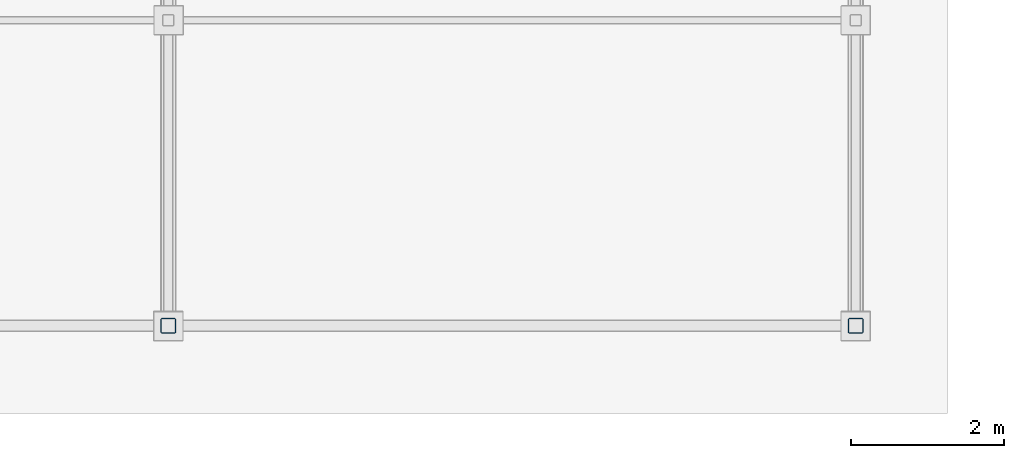
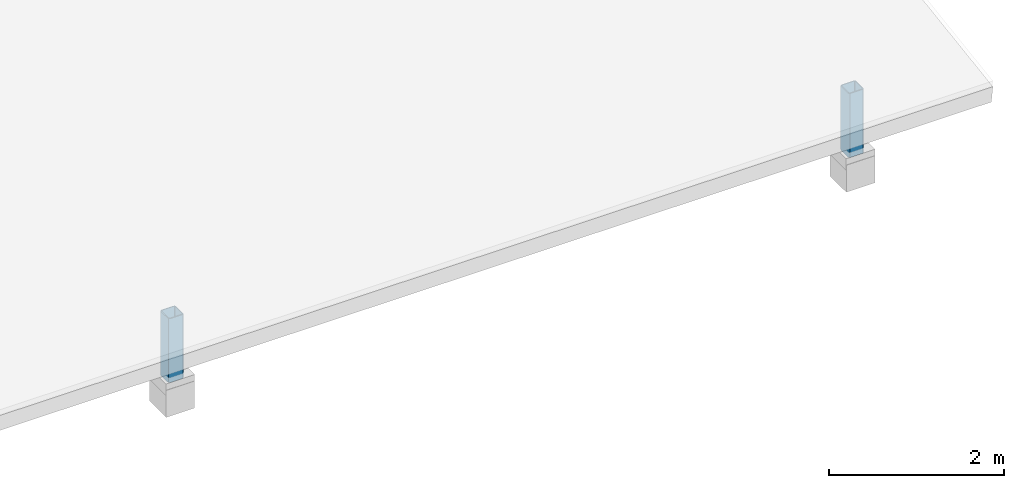
# One storey, part 72 of 118: 2 members.
"""IFC4 building model written with IfcOpenShell, lengths in metres."""

import ifcopenshell
import ifcopenshell.guid

model = None  # the IFC model being written
_history = None  # IfcOwnerHistory: only IFC2X3 demands one
_inside = {}  # id of a spatial element -> (the spatial element, [elements in it])
_under = {}  # id of a project, library or spatial element -> (it, [spatial elements below it])
_declared = {}  # id of a project -> (the project, [libraries it declares])
_typed = {}  # id of a type object -> (the type object, [elements of that type])
_made_of = {}  # id of a material, layer set ... -> (it, [elements and type objects made of it])


def new_model(schema):
    """Start an empty IFC model of exactly this schema.

    Asked for "IFC4X3", IfcOpenShell would pick the latest addendum, in which some entities
    have other attributes; the version numbers below select the first issue.
    IFC2X3 requires an IfcOwnerHistory on every rooted entity: one is made here for all.
    """
    global model, _history
    if schema == "IFC4X3":
        model = ifcopenshell.file(schema_version=(4, 3, 0, 0))
    else:
        model = ifcopenshell.file(schema=schema)
    _inside.clear()
    _under.clear()
    _declared.clear()
    _typed.clear()
    _made_of.clear()
    _history = None
    if model.schema == "IFC2X3":
        org = make("IfcOrganization", Name="unknown")
        user = make(
            "IfcPersonAndOrganization",
            ThePerson=make("IfcPerson", FamilyName="unknown"),
            TheOrganization=org,
        )
        app = make(
            "IfcApplication",
            ApplicationDeveloper=org,
            Version="unknown",
            ApplicationFullName="unknown",
            ApplicationIdentifier="unknown",
        )
        _history = make(
            "IfcOwnerHistory",
            OwningUser=user,
            OwningApplication=app,
            ChangeAction="ADDED",
            CreationDate=0,
        )
    return model


def make(cls, **values):
    """One entity of the class cls with the attributes given. An attribute that is None is left unset."""
    return model.create_entity(
        cls, **{name: value for name, value in values.items() if value is not None}
    )


def rooted(cls, **values):
    """An entity with a GlobalId (a new one), such as an element, a storey or a relation."""
    return make(cls, GlobalId=ifcopenshell.guid.new(), OwnerHistory=_history, **values)


def si_unit(unit_type, name, prefix=None):
    """IfcSIUnit, for example si_unit("LENGTHUNIT", "METRE", prefix="MILLI")."""
    return make("IfcSIUnit", UnitType=unit_type, Prefix=prefix, Name=name)


def assignment(units):
    """IfcUnitAssignment: the units of a project."""
    return None if units is None else make("IfcUnitAssignment", Units=units)


def point(xyz):
    """IfcCartesianPoint."""
    return None if xyz is None else make("IfcCartesianPoint", Coordinates=xyz)


def direction(xyz):
    """IfcDirection."""
    return None if xyz is None else make("IfcDirection", DirectionRatios=xyz)


def frame(location, z_axis=None, x_axis=None):
    """IfcAxis2Placement3D, a coordinate frame: its origin and axes. An axis left out is left unset."""
    return make(
        "IfcAxis2Placement3D",
        Location=point(location),
        Axis=direction(z_axis),
        RefDirection=direction(x_axis),
    )


def frame_2d(location, x_axis=None):
    """IfcAxis2Placement2D, a coordinate frame in the plane: its origin and x axis."""
    return make(
        "IfcAxis2Placement2D", Location=point(location), RefDirection=direction(x_axis)
    )


def origin():
    """The frame at (0, 0, 0) with its axes left unset."""
    return frame((0.0, 0.0, 0.0))


def origin_2d():
    """The frame at (0, 0) in the plane with its x axis left unset."""
    return frame_2d((0.0, 0.0))


def place(relative_to, where):
    """IfcLocalPlacement: puts the frame where relative to a parent placement (None: the world)."""
    return make(
        "IfcLocalPlacement", PlacementRelTo=relative_to, RelativePlacement=where
    )


def context(
    kind, dimensions, precision=None, world=None, true_north=None, identifier=None
):
    """IfcGeometricRepresentationContext, for example the 3D "Model" context."""
    return make(
        "IfcGeometricRepresentationContext",
        ContextIdentifier=identifier,
        ContextType=kind,
        CoordinateSpaceDimension=dimensions,
        Precision=precision,
        WorldCoordinateSystem=world,
        TrueNorth=true_north,
    )


def subcontext(parent, identifier, kind, view, scale=None):
    """IfcGeometricRepresentationSubContext, for example "Body" below "Model"."""
    return make(
        "IfcGeometricRepresentationSubContext",
        ContextIdentifier=identifier,
        ContextType=kind,
        ParentContext=parent,
        TargetScale=scale,
        TargetView=view,
    )


def project(units=None, contexts=None):
    """IfcProject with its units and contexts."""
    return rooted(
        "IfcProject",
        Name="project",
        RepresentationContexts=contexts,
        UnitsInContext=assignment(units),
    )


def spatial(cls, under=None, at=None, **own):
    """A site, building, storey or space (cls), placed at a placement, below another one or the project."""
    s = rooted(cls, ObjectPlacement=at, **own)
    if under is not None:
        _under.setdefault(under.id(), (under, []))[1].append(s)
    return s


def profile(cls, at=None, kind="AREA", **sizes):
    """A parametric profile (cls). Its sizes go by their IFC names, for example OverallWidth=200.0."""
    return make(cls, ProfileType=kind, Position=at, **sizes)


def hollow_rectangle(**sizes):
    """IfcRectangleHollowProfileDef."""
    return profile("IfcRectangleHollowProfileDef", **sizes)


def extrude(swept, where, along, depth):
    """IfcExtrudedAreaSolid: the profile swept, set in the frame where, extruded along a direction by depth."""
    return make(
        "IfcExtrudedAreaSolid",
        SweptArea=swept,
        Position=where,
        ExtrudedDirection=direction(along),
        Depth=depth,
    )


def shape(context_of_items, identifier, shape_type, items):
    """IfcShapeRepresentation: the items that make up one representation, for example the "Body"."""
    return make(
        "IfcShapeRepresentation",
        ContextOfItems=context_of_items,
        RepresentationIdentifier=identifier,
        RepresentationType=shape_type,
        Items=items,
    )


def material(Name=None, Category=None):
    """IfcMaterial."""
    return make("IfcMaterial", Name=Name, Category=Category)


def material_profile(
    of_material, cross_section, Name=None, Category=None, Priority=None
):
    """IfcMaterialProfile: a cross section and its material."""
    return make(
        "IfcMaterialProfile",
        Name=Name,
        Material=of_material,
        Profile=cross_section,
        Priority=Priority,
        Category=Category,
    )


def profile_set(profiles, Name=None, composite=None):
    """IfcMaterialProfileSet."""
    return make(
        "IfcMaterialProfileSet",
        Name=Name,
        MaterialProfiles=profiles,
        CompositeProfile=composite,
    )


def made_of(thing, what):
    """Note that an element or type object is made of a material, layer set ...; save() writes the relation."""
    if what is not None:
        _made_of.setdefault(what.id(), (what, []))[1].append(thing)
    return thing


def type_object(cls, material=None, **own):
    """A type object (cls), such as IfcWallType, which elements share."""
    return made_of(rooted(cls, **own), material)


def element(
    cls,
    number,
    at=None,
    inside=None,
    cuts=None,
    type_object=None,
    material=None,
    context=None,
    identifier="Body",
    shape_type=None,
    held_by="IfcProductDefinitionShape",
    body=None,
    shapes=None,
    **own,
):
    """One element of the class cls, such as IfcWall. Its Tag is "e" and its number.

    at: its placement. inside: the storey or other place that contains it. cuts: it is an
    opening in that element (IfcRelVoidsElement). A single representation is given by context,
    identifier, shape_type and body (its items); several are given by shapes. held_by: the class
    of the entity that holds the representations. save() writes the other relations.
    """
    e = rooted(cls, Tag="e%d" % number, ObjectPlacement=at, **own)
    if body is not None:
        shapes = [shape(context, identifier, shape_type, body)]
    if shapes is not None:
        e.Representation = make(held_by, Representations=shapes)
    if inside is not None:
        _inside.setdefault(inside.id(), (inside, []))[1].append(e)
    if cuts is not None:
        rooted(
            "IfcRelVoidsElement", RelatingBuildingElement=cuts, RelatedOpeningElement=e
        )
    if type_object is not None:
        _typed.setdefault(type_object.id(), (type_object, []))[1].append(e)
    return made_of(e, material)


def aggregate(whole, parts):
    """IfcRelAggregates: a whole, such as a stair, and the parts it consists of."""
    return rooted("IfcRelAggregates", RelatingObject=whole, RelatedObjects=parts)


def save(model, path):
    """Write the relations noted so far, then the file.

    IfcRelAggregates (storeys below a building ...), IfcRelContainedInSpatialStructure (elements
    in a storey), IfcRelDefinesByType, IfcRelAssociatesMaterial and IfcRelDeclares: one each for
    every whole, place, type object, material and project.
    """
    for whole, parts in _under.values():
        aggregate(whole, parts)
    for where, things in _inside.values():
        rooted(
            "IfcRelContainedInSpatialStructure",
            RelatedElements=things,
            RelatingStructure=where,
        )
    for kind, things in _typed.values():
        rooted("IfcRelDefinesByType", RelatedObjects=things, RelatingType=kind)
    for what, things in _made_of.values():
        rooted("IfcRelAssociatesMaterial", RelatedObjects=things, RelatingMaterial=what)
    for by, libraries in _declared.values():
        rooted("IfcRelDeclares", RelatingContext=by, RelatedDefinitions=libraries)
    model.write(path)


model = new_model("IFC4")

# Units and contexts
model_context = context("Model", 3, precision=1e-05, world=origin(), true_north=direction((0.0, 1.0)))
body_context = subcontext(model_context, "Body", "Model", "MODEL_VIEW")
ifc_project = project(units=[si_unit("LENGTHUNIT", "METRE"), si_unit("AREAUNIT", "SQUARE_METRE"), si_unit("VOLUMEUNIT", "CUBIC_METRE"), si_unit("PLANEANGLEUNIT", "RADIAN"), si_unit("MASSUNIT", "GRAM", prefix="KILO"), si_unit("THERMODYNAMICTEMPERATUREUNIT", "KELVIN"), si_unit("POWERUNIT", "WATT")], contexts=[model_context])

# Site, building, storey
site_placement = place(None, origin())
site = spatial("IfcSite", under=ifc_project, at=site_placement, CompositionType="ELEMENT")
building_placement = place(site_placement, origin())
building = spatial("IfcBuilding", under=site, at=building_placement, Name="Zelmaris Science Centre", CompositionType="ELEMENT")
storey_placement = place(building_placement, frame((0.0, 0.0, 15.60009765625)))
storey = spatial("IfcBuildingStorey", under=building, at=storey_placement, Name="L03", CompositionType="ELEMENT", Elevation=15.60009765625)

# Members
ifc_material = material(Name="Steel ASTM A500 Grade C", Category="steel")
ifc_material_profile = material_profile(ifc_material, hollow_rectangle(XDim=0.203125, YDim=0.203125, WallThickness=0.01171875, InnerFilletRadius=0.01171875, OuterFilletRadius=0.023681640625, at=origin_2d()), Name="HSS203X203X13")
ifc_profile_set = profile_set([ifc_material_profile], Name="Steel ASTM A500 Grade C")
member_type = type_object("IfcMemberType", Name="Structural Brace BR-02 HSS203X203X13", PredefinedType="BRACE", material=ifc_profile_set)
for number, where, z_axis, x_axis, name in (
    (1, (45.0, 8.0, 0.099853515625), (0.0, 0.0, 1.0), (1.0, 0.0, 0.0), "RF-V3 Roof truss 5 end post VS"),
    (2, (54.0, 8.0, 0.099853515625), (0.0, 0.0, 1.0), (1.0, 0.0, 0.0), "RF-V3 Roof truss 6 end post VS"),
):
    element("IfcMember", number, at=place(storey_placement, frame(where, z_axis=z_axis, x_axis=x_axis)), inside=storey, type_object=member_type, Name=name, PredefinedType="BRACE", context=body_context, shape_type="SweptSolid", body=[
        extrude(hollow_rectangle(XDim=0.203125, YDim=0.203125, WallThickness=0.01171875, InnerFilletRadius=0.01171875, OuterFilletRadius=0.023681640625, at=origin_2d()), origin(), (0.0, 0.0, 1.0), 0.895751953125),
    ])

save(model, "model.ifc")
